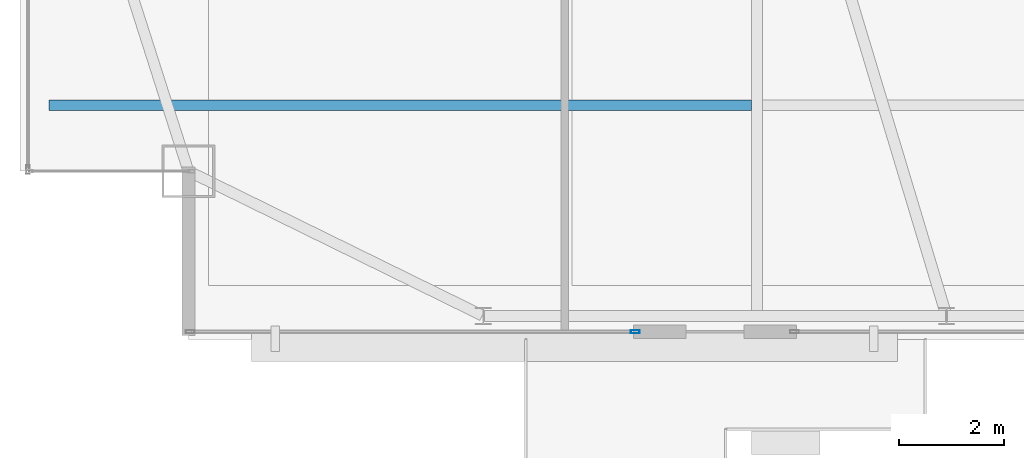
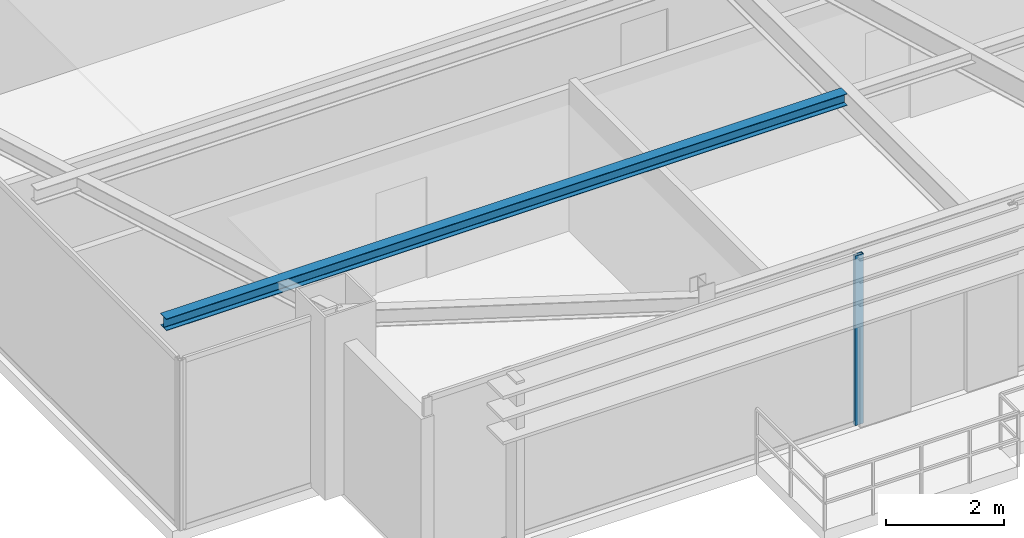
# One storey, part 4 of 21: 1 beam, 1 member, 1 element without a shape of its own.
"""IFC4 building model written with IfcOpenShell, lengths in metres."""

from ifc_helpers import new_model, si_unit, direction, frame, origin, origin_2d, place, context, subcontext, project, spatial, hollow_rectangle, i_section, extrude, source, transform, mapped, material, layer, layer_set, material_profile, profile_set, type_object, type_shapes, element, aggregate, save


model = new_model("IFC4")

# Units and contexts
model_context = context("Model", 3, precision=1e-05, world=origin(), true_north=direction((0.0, 1.0)))
body_context = subcontext(model_context, "Body", "Model", "MODEL_VIEW")
ifc_project = project(units=[si_unit("LENGTHUNIT", "METRE"), si_unit("AREAUNIT", "SQUARE_METRE"), si_unit("VOLUMEUNIT", "CUBIC_METRE"), si_unit("PLANEANGLEUNIT", "RADIAN"), si_unit("MASSUNIT", "GRAM", prefix="KILO")], contexts=[model_context])

# Site, building, storey
site_placement = place(None, origin())
site = spatial("IfcSite", under=ifc_project, at=site_placement, CompositionType="ELEMENT")
building_placement = place(site_placement, origin())
building = spatial("IfcBuilding", under=site, at=building_placement, Name="Varnel Quay Broadcast Tower", CompositionType="ELEMENT")
storey_placement = place(building_placement, frame((0.0, 0.0, 296.39990234375)))
storey = spatial("IfcBuildingStorey", under=building, at=storey_placement, Name="L74", CompositionType="ELEMENT", Elevation=296.39990234375)

# Beam
ifc_material_1 = material(Name="Structural Steel CSA G40.21 350W", Category="steel")
ifc_material_profile_1 = material_profile(ifc_material_1, i_section(OverallWidth=0.201904296875, OverallDepth=0.2470703125, WebThickness=0.00732421875, FlangeThickness=0.010986328125, FilletRadius=0.010986328125, at=origin_2d()), Name="W250X49")
ifc_profile_set_1 = profile_set([ifc_material_profile_1], Name="Structural Steel CSA G40.21 350W")
beam_type = type_object("IfcBeamType", Name="Beam_W250X49", PredefinedType="JOIST", material=ifc_profile_set_1)
shared_shape_1 = source(origin(), body_context, "Body", "SweptSolid", [
    extrude(i_section(OverallWidth=0.201904296875, OverallDepth=0.2470703125, WebThickness=0.00732421875, FlangeThickness=0.010986328125, FilletRadius=0.010986328125, at=origin_2d()), origin(), (0.0, 0.0, 1.0), 13.351318359375),
])
type_shapes(beam_type, [shared_shape_1])
beam_placement = place(storey_placement, frame((12.547607421875, 17.64990234375, 3.396484375), z_axis=(1.0, 0.0, 0.0), x_axis=(0.0, 1.0, 0.0)))
element("IfcBeam", 1, at=beam_placement, inside=storey, type_object=beam_type, Name="L74 West Floor Joist 1", PredefinedType="JOIST", context=body_context, shape_type="MappedRepresentation", body=[
    mapped(shared_shape_1, transform((0.0, 0.0, 0.0), x_axis=(1.0, 0.0, 0.0), y_axis=(0.0, 1.0, 0.0), z_axis=(0.0, 0.0, 1.0), scale=1.0)),
])

# Curtain wall, member
ifc_material_2 = material(Name="Anodised Bronze Aluminium 6063-T6", Category="aluminium")
ifc_layer = layer(ifc_material_2, 0.18994140625, Name="Anodised Bronze Aluminium 6063-T6")
ifc_layer_set = layer_set([ifc_layer], Name="Anodised Bronze Aluminium 6063-T6")
curtain_wall_type = type_object("IfcCurtainWallType", Name="CW_UpperTower", PredefinedType="NOTDEFINED", material=ifc_layer_set)
curtain_wall_placement = place(storey_placement, origin())
curtain_wall = element("IfcCurtainWall", 2, at=curtain_wall_placement, inside=storey, type_object=curtain_wall_type, Name="L74 South Unitised Curtain Wall 1", PredefinedType="NOTDEFINED")
ifc_material_profile_2 = material_profile(ifc_material_2, hollow_rectangle(XDim=0.06494140625, YDim=0.1650390625, WallThickness=0.00341796875, at=origin_2d()), Name="ALU65X165X3.5")
ifc_profile_set_2 = profile_set([ifc_material_profile_2], Name="Anodised Bronze Aluminium 6063-T6")
member_type = type_object("IfcMemberType", Name="Mull_CWS-03", PredefinedType="MULLION", material=ifc_profile_set_2)
shared_shape_2 = source(origin(), body_context, "Body", "SweptSolid", [
    extrude(hollow_rectangle(XDim=0.06494140625, YDim=0.1650390625, WallThickness=0.00341796875, at=origin_2d()), origin(), (0.0, 0.0, 1.0), 3.52001953125),
])
type_shapes(member_type, [shared_shape_2])
member_placement = place(storey_placement, frame((23.6875, 13.35009765625, 0.0), z_axis=(0.0, 0.0, 1.0), x_axis=(0.0, 1.0, 0.0)))
member = element("IfcMember", 3, at=member_placement, type_object=member_type, Name="CWS-03 mullion 2", PredefinedType="MULLION", context=body_context, shape_type="MappedRepresentation", body=[
    mapped(shared_shape_2, transform((0.0, 0.0, 0.0), x_axis=(1.0, 0.0, 0.0), y_axis=(0.0, 1.0, 0.0), z_axis=(0.0, 0.0, 1.0), scale=1.0)),
])
aggregate(curtain_wall, [member])

save(model, "model.ifc")
